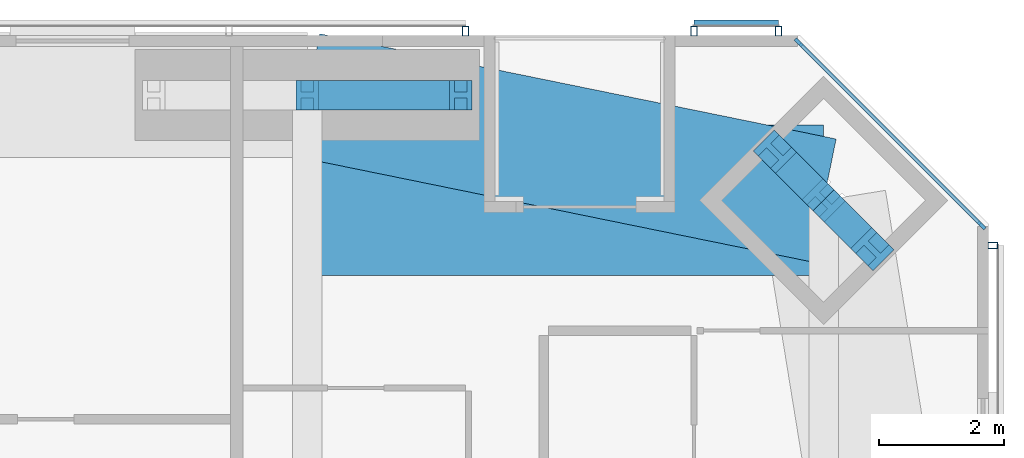
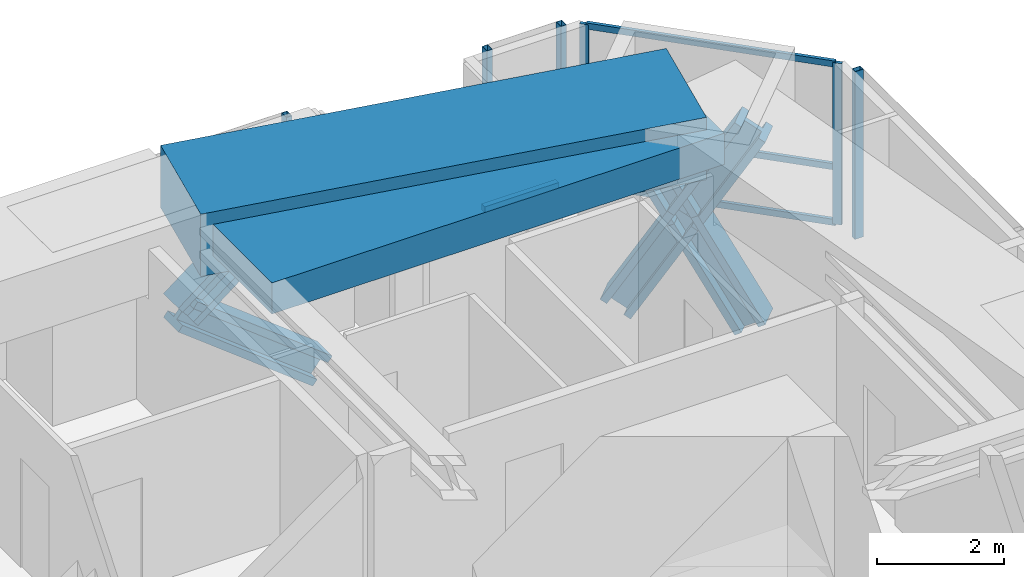
# One storey, part 14 of 23: 16 members, 2 beams, 4 elements without a shape of their own.
"""IFC4 building model written with IfcOpenShell, lengths in metres."""

from ifc_helpers import new_model, si_unit, direction, frame, origin, origin_2d, place, context, subcontext, project, spatial, rectangle, hollow_rectangle, i_section, extrude, material, material_profile, profile_set, type_object, element, aggregate, save


model = new_model("IFC4")

# Units and contexts
model_context = context("Model", 3, precision=1e-05, world=origin(), true_north=direction((0.0, 1.0)))
body_context = subcontext(model_context, "Body", "Model", "MODEL_VIEW")
ifc_project = project(units=[si_unit("LENGTHUNIT", "METRE"), si_unit("AREAUNIT", "SQUARE_METRE"), si_unit("VOLUMEUNIT", "CUBIC_METRE"), si_unit("PLANEANGLEUNIT", "RADIAN"), si_unit("MASSUNIT", "GRAM", prefix="KILO")], contexts=[model_context])

# Site, building, storey
site_placement = place(None, origin())
site = spatial("IfcSite", under=ifc_project, at=site_placement, CompositionType="ELEMENT")
building_placement = place(site_placement, origin())
building = spatial("IfcBuilding", under=site, at=building_placement, Name="Jalousie Tower", CompositionType="ELEMENT")
storey_placement = place(building_placement, frame((0.0, 0.0, 84.75)))
storey = spatial("IfcBuildingStorey", under=building, at=storey_placement, Name="L22", CompositionType="ELEMENT", Elevation=84.75)

# Curtain wall, members
ifc_material_1 = material(Name="Aluminium curtain wall", Category="aluminium")
curtain_wall_type_1 = type_object("IfcCurtainWallType", Name="CORNER WINDOW WALL", PredefinedType="USERDEFINED", material=ifc_material_1)
curtain_wall_1_placement = place(storey_placement, origin())
curtain_wall_1 = element("IfcCurtainWall", 1, at=curtain_wall_1_placement, inside=storey, type_object=curtain_wall_type_1, Name="Corner Window Wall L22 4", ObjectType="CORNER WINDOW WALL", PredefinedType="USERDEFINED")
ifc_material_2 = material(Name="Aluminium mullion", Category="aluminium")
ifc_material_profile_1 = material_profile(ifc_material_2, rectangle(XDim=0.06005859375, YDim=0.14990234375, at=origin_2d()), Name="MULLION 60x150")
ifc_profile_set_1 = profile_set([ifc_material_profile_1], Name="Aluminium mullion")
member_type_1 = type_object("IfcMemberType", Name="CORNER WINDOW WALL MULLION", PredefinedType="MULLION", material=ifc_profile_set_1)
member_1_placement = place(storey_placement, frame((49.391357421875, 34.969970703125, 0.0), z_axis=(0.0, 0.0, 1.0), x_axis=(-0.707106781187, -0.707106781187, 0.0)))
member_1 = element("IfcMember", 2, at=member_1_placement, type_object=member_type_1, Name="CW-C mullion 1", PredefinedType="MULLION", context=body_context, shape_type="SweptSolid", body=[
    extrude(rectangle(XDim=0.06005859375, YDim=0.14990234375, at=origin_2d()), origin(), (0.0, 0.0, 1.0), 3.110107421875),
])
member_2_placement = place(storey_placement, frame((46.469970703125, 37.891357421875, 0.0), z_axis=(0.0, 0.0, 1.0), x_axis=(-0.707106781187, -0.707106781187, 0.0)))
member_2 = element("IfcMember", 3, at=member_2_placement, type_object=member_type_1, Name="CW-C mullion 2", PredefinedType="MULLION", context=body_context, shape_type="SweptSolid", body=[
    extrude(rectangle(XDim=0.06005859375, YDim=0.14990234375, at=origin_2d()), origin(), (0.0, 0.0, 1.0), 3.110107421875),
])
ifc_material_3 = material(Name="Aluminium transom", Category="aluminium")
ifc_material_profile_2 = material_profile(ifc_material_3, rectangle(XDim=0.06005859375, YDim=0.1201171875, at=origin_2d()), Name="TRANSOM 60x120")
ifc_profile_set_2 = profile_set([ifc_material_profile_2], Name="Aluminium transom")
member_type_2 = type_object("IfcMemberType", Name="CORNER WINDOW WALL TRANSOM", PredefinedType="USERDEFINED", material=ifc_profile_set_2)
member_3_placement = place(storey_placement, frame((49.3701171875, 34.9912109375, 0.030029296875), z_axis=(-0.707106781187, 0.707106781187, 0.0), x_axis=(-0.707106781187, -0.707106781187, 0.0)))
member_3 = element("IfcMember", 4, at=member_3_placement, type_object=member_type_2, Name="CW-C transom 1.1", ObjectType="TRANSOM", PredefinedType="USERDEFINED", context=body_context, shape_type="SweptSolid", body=[
    extrude(rectangle(XDim=0.06005859375, YDim=0.1201171875, at=origin_2d()), origin(), (0.0, 0.0, 1.0), 4.0712890625),
])
member_4_placement = place(storey_placement, frame((49.3701171875, 34.9912109375, 1.10009765625), z_axis=(-0.707106781187, 0.707106781187, 0.0), x_axis=(-0.707106781187, -0.707106781187, 0.0)))
member_4 = element("IfcMember", 5, at=member_4_placement, type_object=member_type_2, Name="CW-C transom 1.2", ObjectType="TRANSOM", PredefinedType="USERDEFINED", context=body_context, shape_type="SweptSolid", body=[
    extrude(rectangle(XDim=0.06005859375, YDim=0.1201171875, at=origin_2d()), origin(), (0.0, 0.0, 1.0), 4.0712890625),
])
member_5_placement = place(storey_placement, frame((49.3701171875, 34.9912109375, 3.080078125), z_axis=(-0.707106781187, 0.707106781187, 0.0), x_axis=(-0.707106781187, -0.707106781187, 0.0)))
member_5 = element("IfcMember", 6, at=member_5_placement, type_object=member_type_2, Name="CW-C transom 1.3", ObjectType="TRANSOM", PredefinedType="USERDEFINED", context=body_context, shape_type="SweptSolid", body=[
    extrude(rectangle(XDim=0.06005859375, YDim=0.1201171875, at=origin_2d()), origin(), (0.0, 0.0, 1.0), 4.0712890625),
])
aggregate(curtain_wall_1, [member_1, member_2, member_3, member_4, member_5])

# Members
ifc_material_4 = material(Name="Steel ASTM A992 Grade 50", Category="steel")
ifc_material_profile_3 = material_profile(ifc_material_4, i_section(OverallWidth=0.472412109375, OverallDepth=0.5791015625, WebThickness=0.094970703125, FlangeThickness=0.1298828125, at=origin_2d()), Name="W14X808")
ifc_profile_set_3 = profile_set([ifc_material_profile_3], Name="Steel ASTM A992 Grade 50")
member_type_3 = type_object("IfcMemberType", Name="PERIMETER BRACE W14X808", PredefinedType="BRACE", material=ifc_profile_set_3)
member_6_placement = place(storey_placement, frame((47.646484375, 34.5908203125, -1.050048828125), z_axis=(-0.354270659018, 0.354270659018, 0.865438963947), x_axis=(-0.707106781187, -0.707106781187, 0.0)))
element("IfcMember", 7, at=member_6_placement, inside=storey, type_object=member_type_3, Name="Perimeter brace 08 L22 part 1", PredefinedType="BRACE", context=body_context, shape_type="SweptSolid", body=[
    extrude(i_section(OverallWidth=0.472412109375, OverallDepth=0.5791015625, WebThickness=0.094970703125, FlangeThickness=0.1298828125, at=origin_2d()), origin(), (0.0, 0.0, 1.0), 2.195556640625),
])
member_7_placement = place(storey_placement, frame((46.86865234375, 35.36865234375, 0.85009765625), z_axis=(-0.354304754421, 0.354304754421, 0.865411047993), x_axis=(-0.707106781187, -0.707106781187, 0.0)))
element("IfcMember", 8, at=member_7_placement, inside=storey, type_object=member_type_3, Name="Perimeter brace 08 L22 part 2", PredefinedType="BRACE", context=body_context, shape_type="SweptSolid", body=[
    extrude(i_section(OverallWidth=0.472412109375, OverallDepth=0.5791015625, WebThickness=0.094970703125, FlangeThickness=0.1298828125, at=origin_2d()), origin(), (0.0, 0.0, 1.0), 2.1953125),
])
member_8_placement = place(storey_placement, frame((46.0908203125, 36.146484375, -1.050048828125), z_axis=(0.354270659018, -0.354270659018, 0.865438963947), x_axis=(0.707106781187, 0.707106781187, 0.0)))
element("IfcMember", 9, at=member_8_placement, inside=storey, type_object=member_type_3, Name="Perimeter brace 08 L22 part 3", PredefinedType="BRACE", context=body_context, shape_type="SweptSolid", body=[
    extrude(i_section(OverallWidth=0.472412109375, OverallDepth=0.5791015625, WebThickness=0.094970703125, FlangeThickness=0.1298828125, at=origin_2d()), origin(), (0.0, 0.0, 1.0), 2.195556640625),
])
member_9_placement = place(storey_placement, frame((46.86865234375, 35.36865234375, 0.85009765625), z_axis=(0.354304754421, -0.354304754421, 0.865411047993), x_axis=(0.707106781187, 0.707106781187, 0.0)))
element("IfcMember", 10, at=member_9_placement, inside=storey, type_object=member_type_3, Name="Perimeter brace 08 L22 part 4", PredefinedType="BRACE", context=body_context, shape_type="SweptSolid", body=[
    extrude(i_section(OverallWidth=0.472412109375, OverallDepth=0.5791015625, WebThickness=0.094970703125, FlangeThickness=0.1298828125, at=origin_2d()), origin(), (0.0, 0.0, 1.0), 2.1953125),
])
for number, where, z_axis, x_axis, name in (
    (11, (38.625, 37.050048828125, 0.85009765625), (0.790229140184, 0.0, 0.612811476723), (0.0, 1.0, 0.0), "Perimeter brace 09 L22 part 2"),
    (12, (41.074951171875, 37.050048828125, -1.050048828125), (-0.790191006211, 0.0, 0.612860647866), (0.0, -1.0, 0.0), "Perimeter brace 09 L22 part 3"),
):
    element("IfcMember", number, at=place(storey_placement, frame(where, z_axis=z_axis, x_axis=x_axis)), inside=storey, type_object=member_type_3, Name=name, PredefinedType="BRACE", context=body_context, shape_type="SweptSolid", body=[
        extrude(i_section(OverallWidth=0.472412109375, OverallDepth=0.5791015625, WebThickness=0.094970703125, FlangeThickness=0.1298828125, at=origin_2d()), origin(), (0.0, 0.0, 1.0), 3.100341796875),
    ])

# Beams
ifc_material_5 = material(Name="Concrete f'c 40 MPa", Category="concrete")
ifc_material_profile_4 = material_profile(ifc_material_5, rectangle(XDim=2.0, YDim=1.199951171875, at=origin_2d()), Name="RC 2000x1200")
ifc_profile_set_4 = profile_set([ifc_material_profile_4], Name="Concrete f'c 40 MPa")
beam_type_1 = type_object("IfcBeamType", Name="RC BEAM 2000x1200", PredefinedType="BEAM", material=ifc_profile_set_4)
beam_1_placement = place(storey_placement, frame((46.86865234375, 35.36865234375, 2.75), z_axis=(-0.97982690954, 0.199848010602, 0.0), x_axis=(-0.199848010602, -0.97982690954, 0.0)))
element("IfcBeam", 13, at=beam_1_placement, inside=storey, type_object=beam_type_1, Name="Edge band beam 08-09 under L23", PredefinedType="BEAM", context=body_context, shape_type="SweptSolid", body=[
    extrude(rectangle(XDim=2.0, YDim=1.199951171875, at=origin_2d()), origin(), (0.0, 0.0, 1.0), 8.413330078125),
])
ifc_material_6 = material(Name="Concrete f'c 40 MPa", Category="concrete")
ifc_material_profile_5 = material_profile(ifc_material_6, rectangle(XDim=2.39990234375, YDim=0.60009765625, at=origin_2d()), Name="RC 2400x600")
ifc_profile_set_5 = profile_set([ifc_material_profile_5], Name="Concrete f'c 40 MPa")
beam_type_2 = type_object("IfcBeamType", Name="RC BEAM 2400x600", PredefinedType="BEAM", material=ifc_profile_set_5)
beam_2_placement = place(storey_placement, frame((46.86865234375, 35.36865234375, 2.81005859375), z_axis=(-1.0, 0.0, 0.0), x_axis=(0.0, -1.0, 0.0)))
element("IfcBeam", 14, at=beam_2_placement, inside=storey, type_object=beam_type_2, Name="Floor band beam under L23", PredefinedType="BEAM", context=body_context, shape_type="SweptSolid", body=[
    extrude(rectangle(XDim=2.39990234375, YDim=0.60009765625, at=origin_2d()), origin(), (0.0, 0.0, 1.0), 8.24365234375),
])

# Curtain wall, member
ifc_material_7 = material(Name="Perforated aluminium sheet", Category="aluminium")
curtain_wall_type_2 = type_object("IfcCurtainWallType", Name="SOLAR SCREEN SS-1", PredefinedType="USERDEFINED", material=ifc_material_7)
curtain_wall_2_placement = place(storey_placement, origin())
curtain_wall_2 = element("IfcCurtainWall", 15, at=curtain_wall_2_placement, inside=storey, type_object=curtain_wall_type_2, Name="Solar screen L22", ObjectType="SOLAR SCREEN SS-1", PredefinedType="USERDEFINED")
ifc_material_8 = material(Name="Steel ASTM A500 Grade C", Category="steel")
ifc_material_profile_6 = material_profile(ifc_material_8, hollow_rectangle(XDim=0.1015625, YDim=0.15234375, WallThickness=0.00634765625, at=origin_2d()), Name="HSS6X4X1/4")
ifc_profile_set_6 = profile_set([ifc_material_profile_6], Name="Steel ASTM A500 Grade C")
member_type_4 = type_object("IfcMemberType", Name="SOLAR SCREEN SS-1 MULLION", PredefinedType="MULLION", material=ifc_profile_set_6)
member_10_placement = place(storey_placement, frame((49.5712890625, 34.648681640625, -0.1201171875), z_axis=(0.0, 0.0, 1.0), x_axis=(0.0, 1.0, 0.0)))
member_10 = element("IfcMember", 16, at=member_10_placement, type_object=member_type_4, Name="SS1 post 4", PredefinedType="MULLION", context=body_context, shape_type="SweptSolid", body=[
    extrude(hollow_rectangle(XDim=0.1015625, YDim=0.15234375, WallThickness=0.00634765625, at=origin_2d()), origin(), (0.0, 0.0, 1.0), 3.230224609375),
])
aggregate(curtain_wall_2, [member_10])

# Curtain wall, members
curtain_wall_3_placement = place(storey_placement, origin())
curtain_wall_3 = element("IfcCurtainWall", 17, at=curtain_wall_3_placement, inside=storey, type_object=curtain_wall_type_2, Name="Solar screen L22", ObjectType="SOLAR SCREEN SS-1", PredefinedType="USERDEFINED")
member_11_placement = place(storey_placement, frame((46.148681640625, 38.0712890625, -0.1201171875), z_axis=(0.0, 0.0, 1.0), x_axis=(-1.0, 0.0, 0.0)))
member_11 = element("IfcMember", 18, at=member_11_placement, type_object=member_type_4, Name="SS1 post 1", PredefinedType="MULLION", context=body_context, shape_type="SweptSolid", body=[
    extrude(hollow_rectangle(XDim=0.1015625, YDim=0.15234375, WallThickness=0.00634765625, at=origin_2d()), origin(), (0.0, 0.0, 1.0), 3.230224609375),
])
member_12_placement = place(storey_placement, frame((44.798583984375, 38.0712890625, -0.1201171875), z_axis=(0.0, 0.0, 1.0), x_axis=(-1.0, 0.0, 0.0)))
member_12 = element("IfcMember", 19, at=member_12_placement, type_object=member_type_4, Name="SS1 post 2", PredefinedType="MULLION", context=body_context, shape_type="SweptSolid", body=[
    extrude(hollow_rectangle(XDim=0.1015625, YDim=0.15234375, WallThickness=0.00634765625, at=origin_2d()), origin(), (0.0, 0.0, 1.0), 3.230224609375),
])

# Curtain wall, member
curtain_wall_4_placement = place(storey_placement, origin())
curtain_wall_4 = element("IfcCurtainWall", 20, at=curtain_wall_4_placement, inside=storey, type_object=curtain_wall_type_2, Name="Solar screen L22", ObjectType="SOLAR SCREEN SS-1", PredefinedType="USERDEFINED")
member_13_placement = place(storey_placement, frame((41.148681640625, 38.0712890625, -0.1201171875), z_axis=(0.0, 0.0, 1.0), x_axis=(-1.0, 0.0, 0.0)))
member_13 = element("IfcMember", 21, at=member_13_placement, type_object=member_type_4, Name="SS1 post 1", PredefinedType="MULLION", context=body_context, shape_type="SweptSolid", body=[
    extrude(hollow_rectangle(XDim=0.1015625, YDim=0.15234375, WallThickness=0.00634765625, at=origin_2d()), origin(), (0.0, 0.0, 1.0), 3.230224609375),
])
aggregate(curtain_wall_4, [member_13])

# Member
ifc_material_9 = material(Name="Extruded aluminium screen rail", Category="aluminium")
ifc_material_profile_7 = material_profile(ifc_material_9, rectangle(XDim=0.1015625, YDim=0.1201171875, at=origin_2d()), Name="RAIL 102x120")
ifc_profile_set_7 = profile_set([ifc_material_profile_7], Name="Extruded aluminium screen rail")
member_type_5 = type_object("IfcMemberType", Name="SOLAR SCREEN SS-1 TRANSOM", PredefinedType="USERDEFINED", material=ifc_profile_set_7)
member_14_placement = place(storey_placement, frame((46.148681640625, 38.1982421875, -0.06005859375), z_axis=(-1.0, 0.0, 0.0), x_axis=(0.0, -1.0, 0.0)))
member_14 = element("IfcMember", 22, at=member_14_placement, type_object=member_type_5, Name="SS1 rail", ObjectType="TRANSOM", PredefinedType="USERDEFINED", context=body_context, shape_type="SweptSolid", body=[
    extrude(rectangle(XDim=0.1015625, YDim=0.1201171875, at=origin_2d()), origin(), (0.0, 0.0, 1.0), 1.35009765625),
])

aggregate(curtain_wall_3, [member_11, member_12, member_14])

save(model, "model.ifc")
